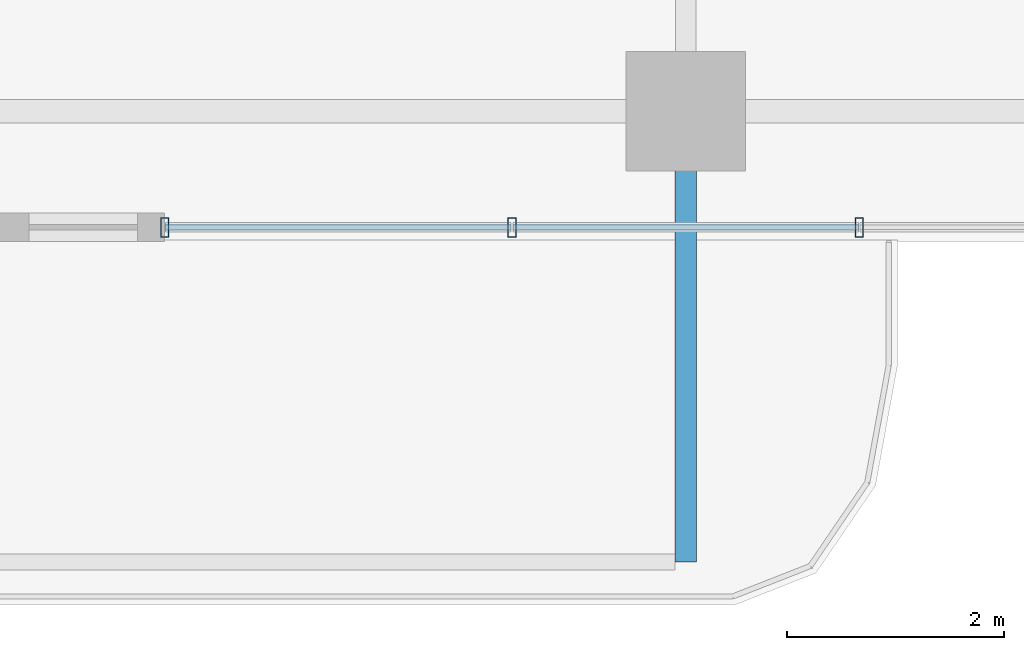
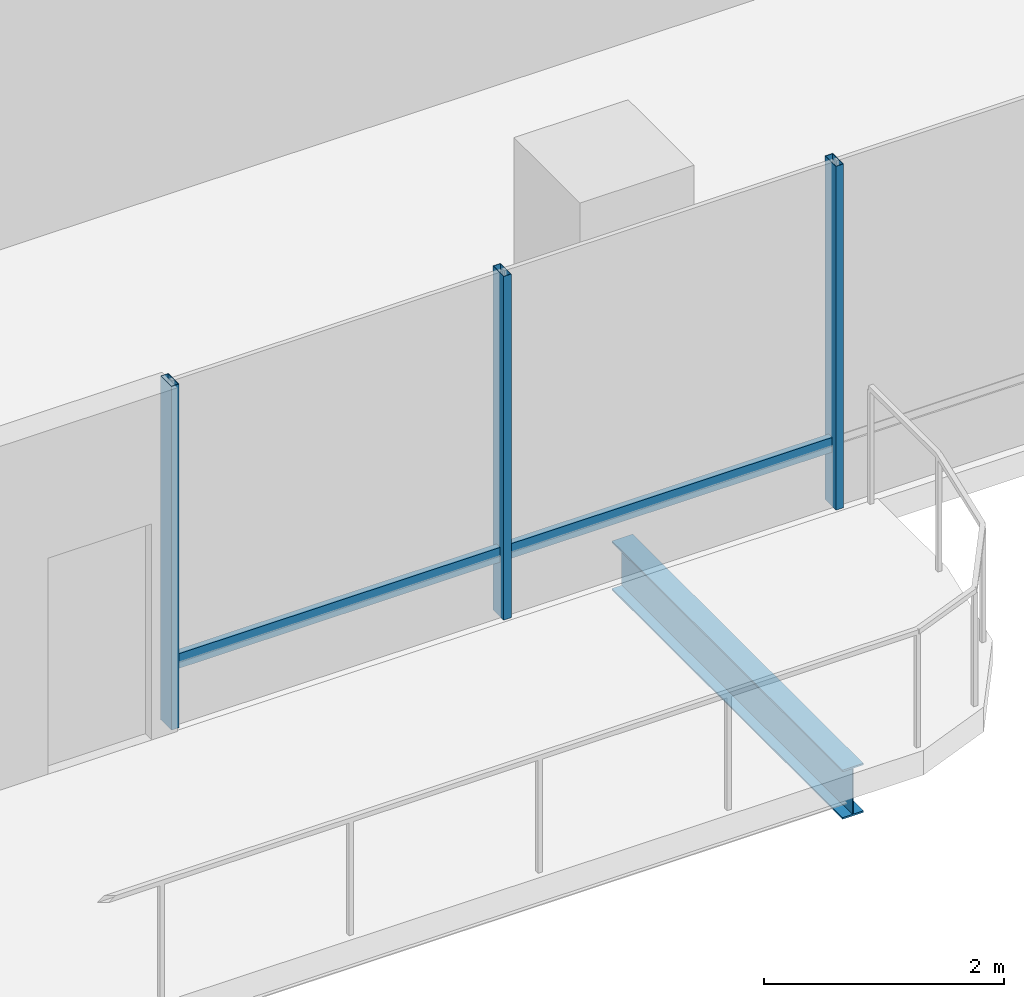
# One storey, part 2 of 24: 5 members, 1 beam, 1 element without a shape of its own.
"""IFC4 building model written with IfcOpenShell, lengths in metres."""

from ifc_helpers import new_model, si_unit, direction, frame, origin, origin_2d, place, context, subcontext, project, spatial, hollow_rectangle, i_section, extrude, material, layer, layer_set, material_profile, profile_set, type_object, element, aggregate, save


model = new_model("IFC4")

# Units and contexts
model_context = context("Model", 3, precision=1e-05, world=origin(), true_north=direction((0.0, 1.0)))
body_context = subcontext(model_context, "Body", "Model", "MODEL_VIEW")
ifc_project = project(units=[si_unit("LENGTHUNIT", "METRE"), si_unit("AREAUNIT", "SQUARE_METRE"), si_unit("VOLUMEUNIT", "CUBIC_METRE"), si_unit("PLANEANGLEUNIT", "RADIAN"), si_unit("MASSUNIT", "GRAM", prefix="KILO")], contexts=[model_context])

# Site, building, storey
site_placement = place(None, origin())
site = spatial("IfcSite", under=ifc_project, at=site_placement, CompositionType="ELEMENT")
building_placement = place(site_placement, origin())
building = spatial("IfcBuilding", under=site, at=building_placement, Name="Belovzor Exchange Tower", CompositionType="ELEMENT")
storey_placement = place(building_placement, frame((0.0, 0.0, 207.449951171875)))
storey = spatial("IfcBuildingStorey", under=building, at=storey_placement, Name="L51", CompositionType="ELEMENT", Elevation=207.449951171875)

# Beam
ifc_material_1 = material(Name="Steel S355", Category="steel")
ifc_material_profile_1 = material_profile(ifc_material_1, i_section(OverallWidth=0.199951171875, OverallDepth=0.5, WebThickness=0.01025390625, FlangeThickness=0.01611328125, at=origin_2d()))
ifc_profile_set_1 = profile_set([ifc_material_profile_1], Name="Steel S355")
beam_type = type_object("IfcBeamType", Name="Planted Balcony Cantilever Beam IPE 500", PredefinedType="BEAM", material=ifc_profile_set_1)
beam_placement = place(storey_placement, frame((28.800048828125, 2.697021484375, -0.5), z_axis=(0.0, -1.0, 0.0), x_axis=(1.0, 0.0, 0.0)))
element("IfcBeam", 1, at=beam_placement, inside=storey, type_object=beam_type, Name="BC-500 Planted Balcony Cantilever Beam IPE 500", PredefinedType="BEAM", context=body_context, shape_type="SweptSolid", body=[
    extrude(i_section(OverallWidth=0.199951171875, OverallDepth=0.5, WebThickness=0.01025390625, FlangeThickness=0.01611328125, at=origin_2d()), origin(), (0.0, 0.0, 1.0), 3.85009765625),
])

# Curtain wall, members
ifc_material_2 = material(Name="Anodised Aluminium Framing", Category="aluminium")
ifc_layer = layer(ifc_material_2, 0.179931640625)
ifc_layer_set = layer_set([ifc_layer], Name="Anodised Aluminium Framing")
curtain_wall_type = type_object("IfcCurtainWallType", Name="Recessed Loggia Low-Iron Triple-Glazed Curtain Wall", PredefinedType="NOTDEFINED", material=ifc_layer_set)
curtain_wall_placement = place(storey_placement, origin())
curtain_wall = element("IfcCurtainWall", 2, at=curtain_wall_placement, inside=storey, type_object=curtain_wall_type, Name="CW3 Recessed Loggia Low-Iron Triple-Glazed Curtain Wall L51", PredefinedType="NOTDEFINED")
ifc_material_3 = material(Name="Steel S355", Category="steel")
ifc_material_profile_2 = material_profile(ifc_material_3, hollow_rectangle(XDim=0.074951171875, YDim=0.179931640625, WallThickness=0.0048828125, at=origin_2d()))
ifc_profile_set_2 = profile_set([ifc_material_profile_2], Name="Steel S355")
member_type_1 = type_object("IfcMemberType", Name="Thermally Broken Curtain Wall Mullion 180x75", PredefinedType="MULLION", material=ifc_profile_set_2)
member_1_placement = place(storey_placement, frame((30.39990234375, 1.929931640625, 0.0), z_axis=(0.0, 0.0, 1.0), x_axis=(-1.0, 0.0, 0.0)))
member_1 = element("IfcMember", 3, at=member_1_placement, type_object=member_type_1, Name="CW-M180 Curtain Wall Mullion 2", PredefinedType="MULLION", context=body_context, shape_type="SweptSolid", body=[
    extrude(hollow_rectangle(XDim=0.074951171875, YDim=0.179931640625, WallThickness=0.0048828125, at=origin_2d()), origin(), (0.0, 0.0, 1.0), 3.5),
])
member_2_placement = place(storey_placement, frame((27.199951171875, 1.929931640625, 0.0), z_axis=(0.0, 0.0, 1.0), x_axis=(-1.0, 0.0, 0.0)))
member_2 = element("IfcMember", 4, at=member_2_placement, type_object=member_type_1, Name="CW-M180 Curtain Wall Mullion 3", PredefinedType="MULLION", context=body_context, shape_type="SweptSolid", body=[
    extrude(hollow_rectangle(XDim=0.074951171875, YDim=0.179931640625, WallThickness=0.0048828125, at=origin_2d()), origin(), (0.0, 0.0, 1.0), 3.5),
])
member_3_placement = place(storey_placement, frame((24.0, 1.929931640625, 0.0), z_axis=(0.0, 0.0, 1.0), x_axis=(-1.0, 0.0, 0.0)))
member_3 = element("IfcMember", 5, at=member_3_placement, type_object=member_type_1, Name="CW-M180 Curtain Wall Mullion 4", PredefinedType="MULLION", context=body_context, shape_type="SweptSolid", body=[
    extrude(hollow_rectangle(XDim=0.074951171875, YDim=0.179931640625, WallThickness=0.0048828125, at=origin_2d()), origin(), (0.0, 0.0, 1.0), 3.5),
])
ifc_material_4 = material(Name="Steel S355", Category="steel")
ifc_material_profile_3 = material_profile(ifc_material_4, hollow_rectangle(XDim=0.06005859375, YDim=0.14990234375, WallThickness=0.00390625, at=origin_2d()))
ifc_profile_set_3 = profile_set([ifc_material_profile_3], Name="Steel S355")
member_type_2 = type_object("IfcMemberType", Name="Thermally Broken Curtain Wall Transom 150x60", PredefinedType="USERDEFINED", material=ifc_profile_set_3)
member_4_placement = place(storey_placement, frame((30.39208984375, 1.929931640625, 0.630126953125), z_axis=(-1.0, 0.0, 0.0), x_axis=(0.0, -1.0, 0.0)))
member_4 = element("IfcMember", 6, at=member_4_placement, type_object=member_type_2, Name="CW-T150 Curtain Wall Transom 2", ObjectType="TRANSOM", PredefinedType="USERDEFINED", context=body_context, shape_type="SweptSolid", body=[
    extrude(hollow_rectangle(XDim=0.06005859375, YDim=0.14990234375, WallThickness=0.00390625, at=origin_2d()), origin(), (0.0, 0.0, 1.0), 3.18408203125),
])
member_5_placement = place(storey_placement, frame((27.19189453125, 1.929931640625, 0.630126953125), z_axis=(-1.0, 0.0, 0.0), x_axis=(0.0, -1.0, 0.0)))
member_5 = element("IfcMember", 7, at=member_5_placement, type_object=member_type_2, Name="CW-T150 Curtain Wall Transom 3", ObjectType="TRANSOM", PredefinedType="USERDEFINED", context=body_context, shape_type="SweptSolid", body=[
    extrude(hollow_rectangle(XDim=0.06005859375, YDim=0.14990234375, WallThickness=0.00390625, at=origin_2d()), origin(), (0.0, 0.0, 1.0), 3.183837890625),
])
aggregate(curtain_wall, [member_1, member_2, member_3, member_4, member_5])

save(model, "model.ifc")
